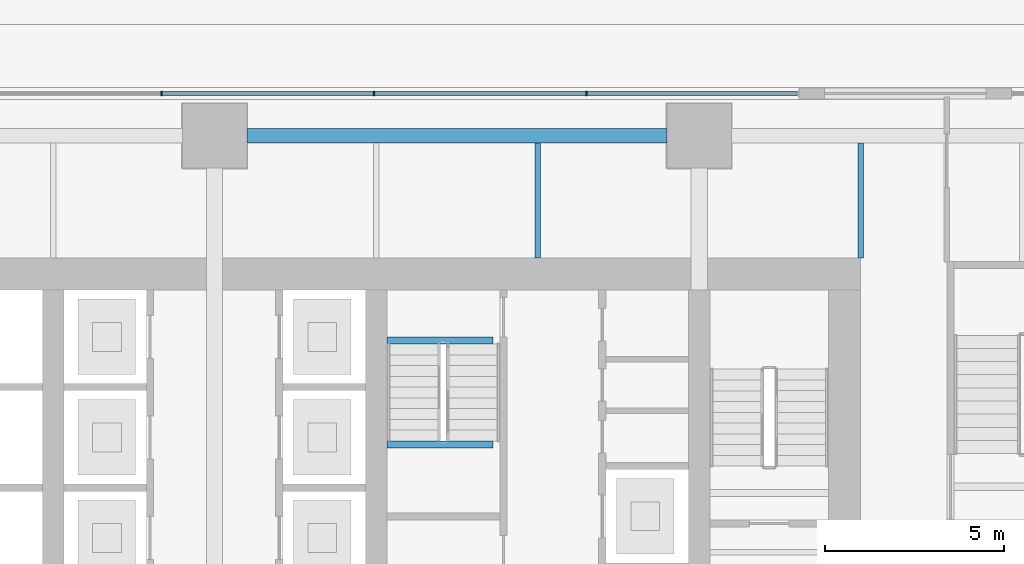
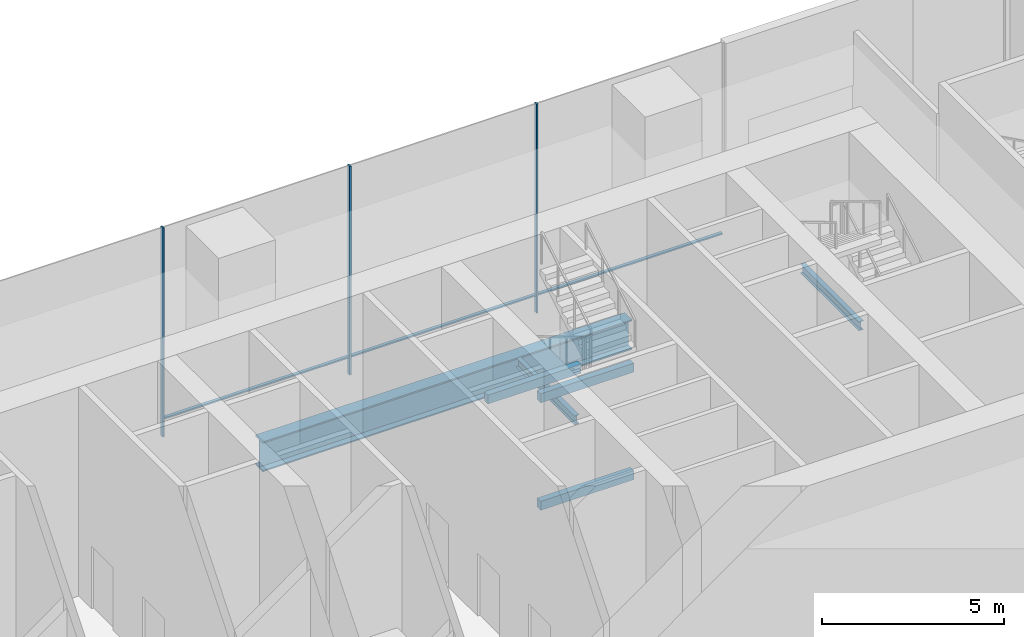
# One storey, part 24 of 41: 6 beams, 6 members, 1 element without a shape of its own.
"""IFC4 building model written with IfcOpenShell, lengths in metres."""

from ifc_helpers import new_model, si_unit, direction, frame, origin, origin_2d, place, context, subcontext, project, spatial, rectangle, i_section, extrude, material, layer, layer_set, material_profile, profile_set, type_object, element, aggregate, save


model = new_model("IFC4")

# Units and contexts
model_context = context("Model", 3, precision=1e-05, world=origin(), true_north=direction((0.0, 1.0)))
body_context = subcontext(model_context, "Body", "Model", "MODEL_VIEW")
ifc_project = project(units=[si_unit("LENGTHUNIT", "METRE"), si_unit("AREAUNIT", "SQUARE_METRE"), si_unit("VOLUMEUNIT", "CUBIC_METRE"), si_unit("PLANEANGLEUNIT", "RADIAN"), si_unit("MASSUNIT", "GRAM", prefix="KILO")], contexts=[model_context])

# Site, building, storey
site_placement = place(None, origin())
site = spatial("IfcSite", under=ifc_project, at=site_placement, CompositionType="ELEMENT")
building_placement = place(site_placement, origin())
building = spatial("IfcBuilding", under=site, at=building_placement, Name="Rattan Terrace Tower", CompositionType="ELEMENT")
storey_placement = place(building_placement, origin())
storey = spatial("IfcBuildingStorey", under=building, at=storey_placement, Name="L00", CompositionType="ELEMENT", Elevation=0.0)

# Beams
ifc_material_1 = material(Name="Concrete C40/50", Category="concrete")
ifc_material_profile_1 = material_profile(ifc_material_1, rectangle(XDim=0.199951171875, YDim=0.300048828125, at=origin_2d()), Name="RC 200x300")
ifc_profile_set_1 = profile_set([ifc_material_profile_1], Name="Concrete C40/50")
beam_type_1 = type_object("IfcBeamType", Name="Core landing beam RC 200x300", PredefinedType="BEAM", material=ifc_profile_set_1)
for number, where, z_axis, x_axis, name in (
    (1, (4.800048828125, 2.300048828125, 1.449951171875), (1.0, 0.0, 0.0), (0.0, 1.0, 0.0), "st-S3-L00 landing 1 edge beam"),
    (2, (4.800048828125, 5.199951171875, 3.25), (1.0, 0.0, 0.0), (0.0, 1.0, 0.0), "st-S3-L00 landing 2 edge beam"),
    (3, (4.800048828125, 2.300048828125, 5.050048828125), (1.0, 0.0, 0.0), (0.0, 1.0, 0.0), "st-S3-L00 landing 3 edge beam"),
):
    element("IfcBeam", number, at=place(storey_placement, frame(where, z_axis=z_axis, x_axis=x_axis)), inside=storey, type_object=beam_type_1, Name=name, PredefinedType="BEAM", context=body_context, shape_type="SweptSolid", body=[
        extrude(rectangle(XDim=0.199951171875, YDim=0.300048828125, at=origin_2d()), origin(), (0.0, 0.0, 1.0), 2.949951171875),
    ])
ifc_material_2 = material(Name="Steel S355", Category="steel")
ifc_material_profile_2 = material_profile(ifc_material_2, i_section(OverallWidth=0.14990234375, OverallDepth=0.300048828125, WebThickness=0.007080078125, FlangeThickness=0.0107421875, FilletRadius=0.014892578125, at=origin_2d()), Name="IPE 300")
ifc_profile_set_2 = profile_set([ifc_material_profile_2], Name="Steel S355")
beam_type_2 = type_object("IfcBeamType", Name="Frame floor beam IPE 300", PredefinedType="JOIST", material=ifc_profile_set_2)
for number, where, z_axis, x_axis, name in (
    (4, (9.0, 7.5, -0.35009765625), (0.0, 1.0, 0.0), (-1.0, 0.0, 0.0), "bm-L00-049"),
    (5, (18.0, 7.5, -0.35009765625), (0.0, 1.0, 0.0), (-1.0, 0.0, 0.0), "bm-L00-050"),
):
    element("IfcBeam", number, at=place(storey_placement, frame(where, z_axis=z_axis, x_axis=x_axis)), inside=storey, type_object=beam_type_2, Name=name, PredefinedType="JOIST", context=body_context, shape_type="SweptSolid", body=[
        extrude(i_section(OverallWidth=0.14990234375, OverallDepth=0.300048828125, WebThickness=0.007080078125, FlangeThickness=0.0107421875, FilletRadius=0.014892578125, at=origin_2d()), origin(), (0.0, 0.0, 1.0), 3.199951171875),
    ])
ifc_material_3 = material(Name="Steel S460", Category="steel")
ifc_material_profile_3 = material_profile(ifc_material_3, i_section(OverallWidth=0.39990234375, OverallDepth=1.0, WebThickness=0.01806640625, FlangeThickness=0.044921875, at=origin_2d()), Name="PG 1000x400-18-45")
ifc_profile_set_3 = profile_set([ifc_material_profile_3], Name="Steel S460")
beam_type_3 = type_object("IfcBeamType", Name="Frame podium girder PG 1000x400-18-45", PredefinedType="USERDEFINED", material=ifc_profile_set_3)
beam_placement = place(storey_placement, frame((0.89990234375, 10.89990234375, -0.699951171875), z_axis=(1.0, 0.0, 0.0), x_axis=(0.0, 1.0, 0.0)))
element("IfcBeam", 6, at=beam_placement, inside=storey, type_object=beam_type_3, Name="gdr-L00-049", ObjectType="PODIUM GIRDER", PredefinedType="USERDEFINED", context=body_context, shape_type="SweptSolid", body=[
    extrude(i_section(OverallWidth=0.39990234375, OverallDepth=1.0, WebThickness=0.01806640625, FlangeThickness=0.044921875, at=origin_2d()), origin(), (0.0, 0.0, 1.0), 11.7001953125),
])

# Curtain wall, members
ifc_material_4 = material(Name="Aluminium and glass", Category="aluminium")
ifc_layer = layer(ifc_material_4, 0.1201171875)
ifc_layer_set = layer_set([ifc_layer], Name="Station Storefront Curtain Wall")
curtain_wall_type = type_object("IfcCurtainWallType", Name="Station Storefront Curtain Wall", PredefinedType="NOTDEFINED", material=ifc_layer_set)
curtain_wall_placement = place(storey_placement, origin())
curtain_wall = element("IfcCurtainWall", 7, at=curtain_wall_placement, inside=storey, type_object=curtain_wall_type, Name="Storefront curtain wall L00-5", PredefinedType="NOTDEFINED")
ifc_material_5 = material(Name="Aluminium", Category="aluminium")
ifc_material_profile_4 = material_profile(ifc_material_5, rectangle(XDim=0.050048828125, YDim=0.1201171875, at=origin_2d()), Name="Aluminium 50x120")
ifc_profile_set_4 = profile_set([ifc_material_profile_4], Name="Aluminium")
member_type_1 = type_object("IfcMemberType", Name="Storefront CW Mullion 50x120", PredefinedType="MULLION", material=ifc_profile_set_4)
member_1_placement = place(storey_placement, frame((10.360107421875, 12.080078125, 0.0), z_axis=(0.0, 0.0, 1.0), x_axis=(-1.0, 0.0, 0.0)))
member_1 = element("IfcMember", 8, at=member_1_placement, type_object=member_type_1, Name="Mullion cwl-L00-005.2", PredefinedType="MULLION", context=body_context, shape_type="SweptSolid", body=[
    extrude(rectangle(XDim=0.050048828125, YDim=0.1201171875, at=origin_2d()), origin(), (0.0, 0.0, 1.0), 7.0),
])
member_2_placement = place(storey_placement, frame((4.43994140625, 12.080078125, 0.0), z_axis=(0.0, 0.0, 1.0), x_axis=(-1.0, 0.0, 0.0)))
member_2 = element("IfcMember", 9, at=member_2_placement, type_object=member_type_1, Name="Mullion cwl-L00-005.3", PredefinedType="MULLION", context=body_context, shape_type="SweptSolid", body=[
    extrude(rectangle(XDim=0.050048828125, YDim=0.1201171875, at=origin_2d()), origin(), (0.0, 0.0, 1.0), 7.0),
])
member_3_placement = place(storey_placement, frame((-1.47998046875, 12.080078125, 0.0), z_axis=(0.0, 0.0, 1.0), x_axis=(-1.0, 0.0, 0.0)))
member_3 = element("IfcMember", 10, at=member_3_placement, type_object=member_type_1, Name="Mullion cwl-L00-005.4", PredefinedType="MULLION", context=body_context, shape_type="SweptSolid", body=[
    extrude(rectangle(XDim=0.050048828125, YDim=0.1201171875, at=origin_2d()), origin(), (0.0, 0.0, 1.0), 7.0),
])
ifc_material_6 = material(Name="Aluminium", Category="aluminium")
ifc_material_profile_5 = material_profile(ifc_material_6, rectangle(XDim=0.10009765625, YDim=0.050048828125, at=origin_2d()), Name="Aluminium 100x50")
ifc_profile_set_5 = profile_set([ifc_material_profile_5], Name="Aluminium")
member_type_2 = type_object("IfcMemberType", Name="Storefront CW Transom 100x50", PredefinedType="USERDEFINED", material=ifc_profile_set_5)
member_4_placement = place(storey_placement, frame((16.22998046875, 12.080078125, 0.60009765625), z_axis=(-1.0, 0.0, 0.0), x_axis=(0.0, -1.0, 0.0)))
member_4 = element("IfcMember", 11, at=member_4_placement, type_object=member_type_2, Name="Transom cwl-L00-005.1", ObjectType="TRANSOM", PredefinedType="USERDEFINED", context=body_context, shape_type="SweptSolid", body=[
    extrude(rectangle(XDim=0.10009765625, YDim=0.050048828125, at=origin_2d()), origin(), (0.0, 0.0, 1.0), 5.844970703125),
])
member_5_placement = place(storey_placement, frame((10.3349609375, 12.080078125, 0.60009765625), z_axis=(-1.0, 0.0, 0.0), x_axis=(0.0, -1.0, 0.0)))
member_5 = element("IfcMember", 12, at=member_5_placement, type_object=member_type_2, Name="Transom cwl-L00-005.2", ObjectType="TRANSOM", PredefinedType="USERDEFINED", context=body_context, shape_type="SweptSolid", body=[
    extrude(rectangle(XDim=0.10009765625, YDim=0.050048828125, at=origin_2d()), origin(), (0.0, 0.0, 1.0), 5.869873046875),
])
member_6_placement = place(storey_placement, frame((4.4150390625, 12.080078125, 0.60009765625), z_axis=(-1.0, 0.0, 0.0), x_axis=(0.0, -1.0, 0.0)))
member_6 = element("IfcMember", 13, at=member_6_placement, type_object=member_type_2, Name="Transom cwl-L00-005.3", ObjectType="TRANSOM", PredefinedType="USERDEFINED", context=body_context, shape_type="SweptSolid", body=[
    extrude(rectangle(XDim=0.10009765625, YDim=0.050048828125, at=origin_2d()), origin(), (0.0, 0.0, 1.0), 5.8701171875),
])
aggregate(curtain_wall, [member_1, member_2, member_3, member_4, member_5, member_6])

save(model, "model.ifc")
